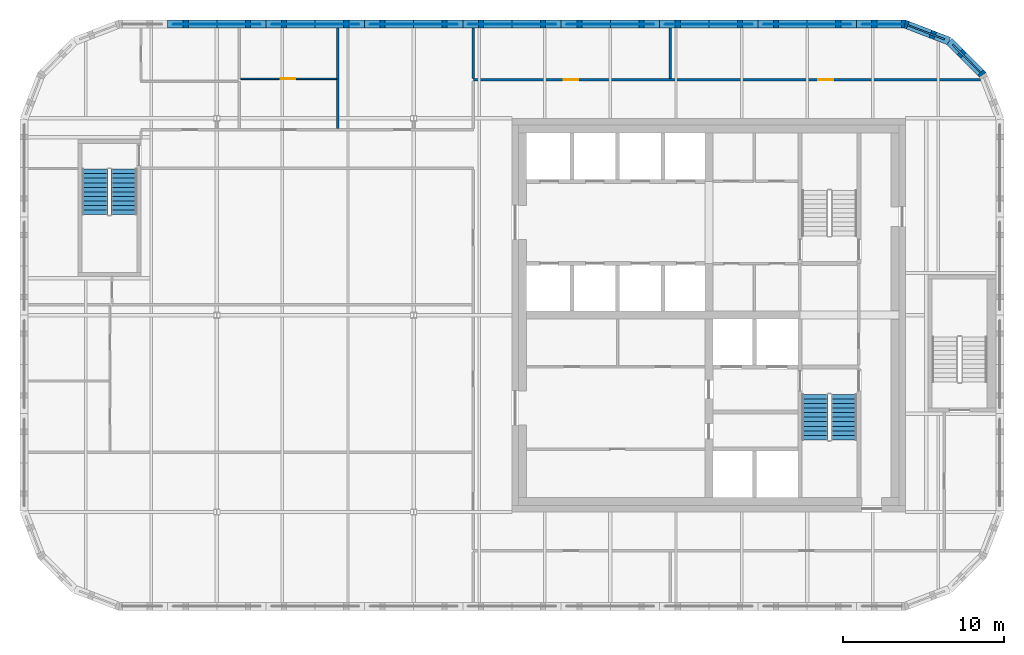
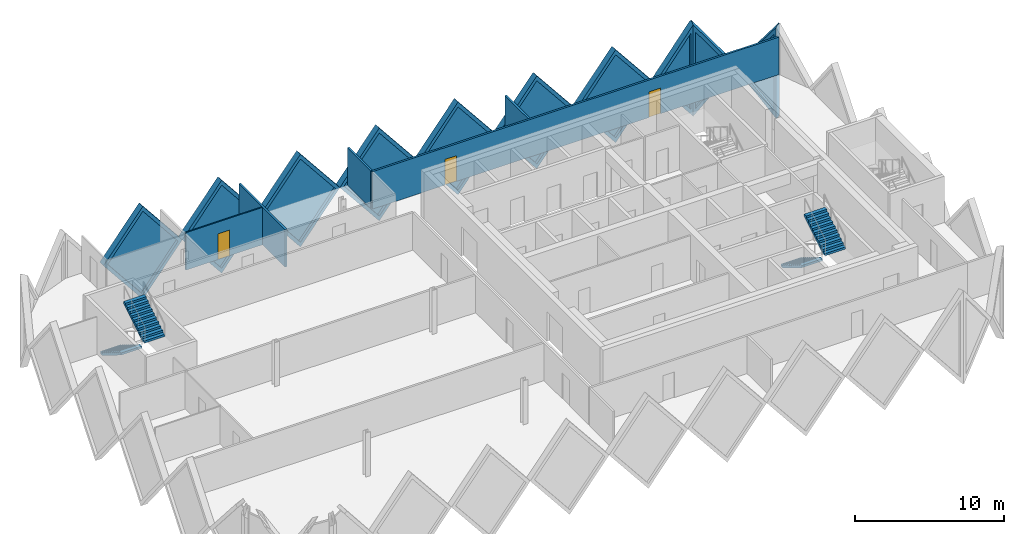
# One storey, part 8 of 10: 15 walls, 10 plates, 4 stair flights, 3 doors, 13 openings, 2 elements without a shape of their own.
"""IFC4 building model written with IfcOpenShell, lengths in metres."""

import ifcopenshell
import ifcopenshell.guid

model = None  # the IFC model being written
_history = None  # IfcOwnerHistory: only IFC2X3 demands one
_inside = {}  # id of a spatial element -> (the spatial element, [elements in it])
_under = {}  # id of a project, library or spatial element -> (it, [spatial elements below it])
_declared = {}  # id of a project -> (the project, [libraries it declares])
_typed = {}  # id of a type object -> (the type object, [elements of that type])
_made_of = {}  # id of a material, layer set ... -> (it, [elements and type objects made of it])


def new_model(schema):
    """Start an empty IFC model of exactly this schema.

    Asked for "IFC4X3", IfcOpenShell would pick the latest addendum, in which some entities
    have other attributes; the version numbers below select the first issue.
    IFC2X3 requires an IfcOwnerHistory on every rooted entity: one is made here for all.
    """
    global model, _history
    if schema == "IFC4X3":
        model = ifcopenshell.file(schema_version=(4, 3, 0, 0))
    else:
        model = ifcopenshell.file(schema=schema)
    _inside.clear()
    _under.clear()
    _declared.clear()
    _typed.clear()
    _made_of.clear()
    _history = None
    if model.schema == "IFC2X3":
        org = make("IfcOrganization", Name="unknown")
        user = make(
            "IfcPersonAndOrganization",
            ThePerson=make("IfcPerson", FamilyName="unknown"),
            TheOrganization=org,
        )
        app = make(
            "IfcApplication",
            ApplicationDeveloper=org,
            Version="unknown",
            ApplicationFullName="unknown",
            ApplicationIdentifier="unknown",
        )
        _history = make(
            "IfcOwnerHistory",
            OwningUser=user,
            OwningApplication=app,
            ChangeAction="ADDED",
            CreationDate=0,
        )
    return model


def make(cls, **values):
    """One entity of the class cls with the attributes given. An attribute that is None is left unset."""
    return model.create_entity(
        cls, **{name: value for name, value in values.items() if value is not None}
    )


def rooted(cls, **values):
    """An entity with a GlobalId (a new one), such as an element, a storey or a relation."""
    return make(cls, GlobalId=ifcopenshell.guid.new(), OwnerHistory=_history, **values)


def si_unit(unit_type, name, prefix=None):
    """IfcSIUnit, for example si_unit("LENGTHUNIT", "METRE", prefix="MILLI")."""
    return make("IfcSIUnit", UnitType=unit_type, Prefix=prefix, Name=name)


def assignment(units):
    """IfcUnitAssignment: the units of a project."""
    return None if units is None else make("IfcUnitAssignment", Units=units)


def point(xyz):
    """IfcCartesianPoint."""
    return None if xyz is None else make("IfcCartesianPoint", Coordinates=xyz)


def direction(xyz):
    """IfcDirection."""
    return None if xyz is None else make("IfcDirection", DirectionRatios=xyz)


def frame(location, z_axis=None, x_axis=None):
    """IfcAxis2Placement3D, a coordinate frame: its origin and axes. An axis left out is left unset."""
    return make(
        "IfcAxis2Placement3D",
        Location=point(location),
        Axis=direction(z_axis),
        RefDirection=direction(x_axis),
    )


def frame_2d(location, x_axis=None):
    """IfcAxis2Placement2D, a coordinate frame in the plane: its origin and x axis."""
    return make(
        "IfcAxis2Placement2D", Location=point(location), RefDirection=direction(x_axis)
    )


def origin():
    """The frame at (0, 0, 0) with its axes left unset."""
    return frame((0.0, 0.0, 0.0))


def place(relative_to, where):
    """IfcLocalPlacement: puts the frame where relative to a parent placement (None: the world)."""
    return make(
        "IfcLocalPlacement", PlacementRelTo=relative_to, RelativePlacement=where
    )


def context(
    kind, dimensions, precision=None, world=None, true_north=None, identifier=None
):
    """IfcGeometricRepresentationContext, for example the 3D "Model" context."""
    return make(
        "IfcGeometricRepresentationContext",
        ContextIdentifier=identifier,
        ContextType=kind,
        CoordinateSpaceDimension=dimensions,
        Precision=precision,
        WorldCoordinateSystem=world,
        TrueNorth=true_north,
    )


def subcontext(parent, identifier, kind, view, scale=None):
    """IfcGeometricRepresentationSubContext, for example "Body" below "Model"."""
    return make(
        "IfcGeometricRepresentationSubContext",
        ContextIdentifier=identifier,
        ContextType=kind,
        ParentContext=parent,
        TargetScale=scale,
        TargetView=view,
    )


def project(units=None, contexts=None):
    """IfcProject with its units and contexts."""
    return rooted(
        "IfcProject",
        Name="project",
        RepresentationContexts=contexts,
        UnitsInContext=assignment(units),
    )


def spatial(cls, under=None, at=None, **own):
    """A site, building, storey or space (cls), placed at a placement, below another one or the project."""
    s = rooted(cls, ObjectPlacement=at, **own)
    if under is not None:
        _under.setdefault(under.id(), (under, []))[1].append(s)
    return s


def polyline(points):
    """IfcPolyline through the points."""
    return make("IfcPolyline", Points=[point(p) for p in points])


def profile(cls, at=None, kind="AREA", **sizes):
    """A parametric profile (cls). Its sizes go by their IFC names, for example OverallWidth=200.0."""
    return make(cls, ProfileType=kind, Position=at, **sizes)


def rectangle(**sizes):
    """IfcRectangleProfileDef."""
    return profile("IfcRectangleProfileDef", **sizes)


def outline(outer, holes=None, kind="AREA"):
    """IfcArbitraryClosedProfileDef: a profile drawn as a closed curve; with holes, ...WithVoids."""
    if holes is None:
        return make("IfcArbitraryClosedProfileDef", ProfileType=kind, OuterCurve=outer)
    return make(
        "IfcArbitraryProfileDefWithVoids",
        ProfileType=kind,
        OuterCurve=outer,
        InnerCurves=holes,
    )


def extrude(swept, where, along, depth):
    """IfcExtrudedAreaSolid: the profile swept, set in the frame where, extruded along a direction by depth."""
    return make(
        "IfcExtrudedAreaSolid",
        SweptArea=swept,
        Position=where,
        ExtrudedDirection=direction(along),
        Depth=depth,
    )


def faces_of(points, faces, orient=None, outer=None):
    """IfcFace entities. A face is a list of loops; a loop is a list of indices into points, from 0.

    orient and outer hold one flag for each loop. By default every Orientation is true, the
    first loop of a face is its IfcFaceOuterBound and the others are IfcFaceBound.
    """
    made = []
    for i, loops in enumerate(faces):
        bounds = []
        for j, loop in enumerate(loops):
            is_outer = j == 0 if outer is None else outer[i][j]
            bounds.append(
                make(
                    "IfcFaceOuterBound" if is_outer else "IfcFaceBound",
                    Bound=make("IfcPolyLoop", Polygon=[points[k] for k in loop]),
                    Orientation=True if orient is None else orient[i][j],
                )
            )
        made.append(make("IfcFace", Bounds=bounds))
    return made


def faceted_brep(points, faces, orient=None, outer=None, voids=None):
    """IfcFacetedBrep: a solid bounded by flat faces; with voids (closed shells), ...WithVoids."""
    shared = [point(p) for p in points]
    hull = make("IfcClosedShell", CfsFaces=faces_of(shared, faces, orient, outer))
    if voids is None:
        return make("IfcFacetedBrep", Outer=hull)
    return make(
        "IfcFacetedBrepWithVoids",
        Outer=hull,
        Voids=[
            make(cls, CfsFaces=faces_of(shared, fs, o, b)) for cls, fs, o, b in voids
        ],
    )


def shape(context_of_items, identifier, shape_type, items):
    """IfcShapeRepresentation: the items that make up one representation, for example the "Body"."""
    return make(
        "IfcShapeRepresentation",
        ContextOfItems=context_of_items,
        RepresentationIdentifier=identifier,
        RepresentationType=shape_type,
        Items=items,
    )


def source(mapping_origin, context_of_items, identifier, shape_type, items):
    """IfcRepresentationMap: a shape defined once, which mapped items show again and again."""
    return make(
        "IfcRepresentationMap",
        MappingOrigin=mapping_origin,
        MappedRepresentation=shape(context_of_items, identifier, shape_type, items),
    )


def transform(
    local_origin,
    x_axis=None,
    y_axis=None,
    z_axis=None,
    scale=None,
    scale2=None,
    scale3=None,
    uniform=True,
):
    """IfcCartesianTransformationOperator3D, or its non-uniform kind. x_axis, y_axis, z_axis: its Axis1, 2, 3."""
    if uniform:
        return make(
            "IfcCartesianTransformationOperator3D",
            Axis1=direction(x_axis),
            Axis2=direction(y_axis),
            LocalOrigin=point(local_origin),
            Scale=scale,
            Axis3=direction(z_axis),
        )
    return make(
        "IfcCartesianTransformationOperator3DnonUniform",
        Axis1=direction(x_axis),
        Axis2=direction(y_axis),
        LocalOrigin=point(local_origin),
        Scale=scale,
        Axis3=direction(z_axis),
        Scale2=scale2,
        Scale3=scale3,
    )


def mapped(mapping_source, mapping_target):
    """IfcMappedItem: shows the shape of a source again, moved by a transform."""
    return make(
        "IfcMappedItem", MappingSource=mapping_source, MappingTarget=mapping_target
    )


def material(Name=None, Category=None):
    """IfcMaterial."""
    return make("IfcMaterial", Name=Name, Category=Category)


def layer(
    of_material, thickness, ventilated=None, Name=None, Category=None, Priority=None
):
    """IfcMaterialLayer: one layer of a wall or slab, of a material (None: an air gap)."""
    return make(
        "IfcMaterialLayer",
        Material=of_material,
        LayerThickness=thickness,
        IsVentilated=ventilated,
        Name=Name,
        Category=Category,
        Priority=Priority,
    )


def layer_set(layers, Name=None):
    """IfcMaterialLayerSet."""
    return make("IfcMaterialLayerSet", MaterialLayers=layers, LayerSetName=Name)


def made_of(thing, what):
    """Note that an element or type object is made of a material, layer set ...; save() writes the relation."""
    if what is not None:
        _made_of.setdefault(what.id(), (what, []))[1].append(thing)
    return thing


def type_object(cls, material=None, **own):
    """A type object (cls), such as IfcWallType, which elements share."""
    return made_of(rooted(cls, **own), material)


def element(
    cls,
    number,
    at=None,
    inside=None,
    cuts=None,
    type_object=None,
    material=None,
    context=None,
    identifier="Body",
    shape_type=None,
    held_by="IfcProductDefinitionShape",
    body=None,
    shapes=None,
    **own,
):
    """One element of the class cls, such as IfcWall. Its Tag is "e" and its number.

    at: its placement. inside: the storey or other place that contains it. cuts: it is an
    opening in that element (IfcRelVoidsElement). A single representation is given by context,
    identifier, shape_type and body (its items); several are given by shapes. held_by: the class
    of the entity that holds the representations. save() writes the other relations.
    """
    e = rooted(cls, Tag="e%d" % number, ObjectPlacement=at, **own)
    if body is not None:
        shapes = [shape(context, identifier, shape_type, body)]
    if shapes is not None:
        e.Representation = make(held_by, Representations=shapes)
    if inside is not None:
        _inside.setdefault(inside.id(), (inside, []))[1].append(e)
    if cuts is not None:
        rooted(
            "IfcRelVoidsElement", RelatingBuildingElement=cuts, RelatedOpeningElement=e
        )
    if type_object is not None:
        _typed.setdefault(type_object.id(), (type_object, []))[1].append(e)
    return made_of(e, material)


def fill(opening, filler):
    """IfcRelFillsElement: the door or window that sits in an opening."""
    return rooted(
        "IfcRelFillsElement",
        RelatingOpeningElement=opening,
        RelatedBuildingElement=filler,
    )


def aggregate(whole, parts):
    """IfcRelAggregates: a whole, such as a stair, and the parts it consists of."""
    return rooted("IfcRelAggregates", RelatingObject=whole, RelatedObjects=parts)


def save(model, path):
    """Write the relations noted so far, then the file.

    IfcRelAggregates (storeys below a building ...), IfcRelContainedInSpatialStructure (elements
    in a storey), IfcRelDefinesByType, IfcRelAssociatesMaterial and IfcRelDeclares: one each for
    every whole, place, type object, material and project.
    """
    for whole, parts in _under.values():
        aggregate(whole, parts)
    for where, things in _inside.values():
        rooted(
            "IfcRelContainedInSpatialStructure",
            RelatedElements=things,
            RelatingStructure=where,
        )
    for kind, things in _typed.values():
        rooted("IfcRelDefinesByType", RelatedObjects=things, RelatingType=kind)
    for what, things in _made_of.values():
        rooted("IfcRelAssociatesMaterial", RelatedObjects=things, RelatingMaterial=what)
    for by, libraries in _declared.values():
        rooted("IfcRelDeclares", RelatingContext=by, RelatedDefinitions=libraries)
    model.write(path)


model = new_model("IFC4")

# Units and contexts
model_context = context("Model", 3, precision=1e-05, world=origin(), true_north=direction((0.0, 1.0)))
body_context = subcontext(model_context, "Body", "Model", "MODEL_VIEW")
ifc_project = project(units=[si_unit("LENGTHUNIT", "METRE"), si_unit("AREAUNIT", "SQUARE_METRE"), si_unit("VOLUMEUNIT", "CUBIC_METRE"), si_unit("PLANEANGLEUNIT", "RADIAN"), si_unit("MASSUNIT", "GRAM", prefix="KILO")], contexts=[model_context])

# Site, building, storey
site_placement = place(None, origin())
site = spatial("IfcSite", under=ifc_project, at=site_placement, CompositionType="ELEMENT")
building_placement = place(site_placement, origin())
building = spatial("IfcBuilding", under=site, at=building_placement, Name="Tessera Gate Towers", CompositionType="ELEMENT")
storey_placement = place(building_placement, frame((0.0, 0.0, 252.10009765625)))
storey = spatial("IfcBuildingStorey", under=building, at=storey_placement, Name="L63", CompositionType="ELEMENT", Elevation=252.10009765625)

# Wall, openings, doors
ifc_material_1 = material(Name="Gypsum board on steel studs, mineral wool", Category="steel")
ifc_layer_1 = layer(ifc_material_1, 0.14990234375)
ifc_layer_set_1 = layer_set([ifc_layer_1], Name="CORRIDOR WALL 150")
wall_type_1 = type_object("IfcWallType", Name="CORRIDOR WALL 150", PredefinedType="PARTITIONING", material=ifc_layer_set_1)
wall_1_placement = place(storey_placement, frame((28.10009765625, 51.199951171875, 0.0), z_axis=(0.0, 0.0, 1.0), x_axis=(1.0, 0.0, 0.0)))
wall_1 = element("IfcWall", 1, at=wall_1_placement, inside=storey, type_object=wall_type_1, Name="T1-L63-PW-025", PredefinedType="PARTITIONING", context=body_context, shape_type="SweptSolid", body=[
    extrude(rectangle(XDim=31.438232421875, YDim=0.14990234375, at=frame_2d((15.71923828125, 0.0))), origin(), (0.0, 0.0, 1.0), 3.06689453125),
])
shared_shape_1 = source(origin(), body_context, "Body", "SweptSolid", [
    extrude(rectangle(XDim=0.89990234375, YDim=2.10009765625, at=frame_2d((0.449951171875, 1.050048828125))), frame((0.0, 0.0849609375, 0.0), z_axis=(0.0, -1.0, 0.0), x_axis=(1.0, 0.0, 0.0)), (0.0, 0.0, 1.0), 0.169921875),
])
opening_1_placement = place(wall_1_placement, frame((5.60009765625, 0.0, 0.0)))
opening_1 = element("IfcOpeningElement", 2, at=opening_1_placement, cuts=wall_1, Name="Opening D890FD60-A22-06", PredefinedType="OPENING", context=body_context, shape_type="MappedRepresentation", body=[
    mapped(shared_shape_1, transform((0.0, 0.0, 0.0), scale=1.0)),
])
opening_2_placement = place(wall_1_placement, frame((21.39990234375, 0.0, 0.0)))
opening_2 = element("IfcOpeningElement", 3, at=opening_2_placement, cuts=wall_1, Name="Opening D890FD60-A22-09", PredefinedType="OPENING", context=body_context, shape_type="MappedRepresentation", body=[
    mapped(shared_shape_1, transform((0.0, 0.0, 0.0), scale=1.0)),
])
ifc_material_2 = material(Name="Timber door leaf in steel frame", Category="steel")
door_type_1 = type_object("IfcDoorType", Name="CORRIDOR DOOR 900 FD60", OperationType="NOTDEFINED", PredefinedType="DOOR", material=ifc_material_2)
shared_shape_2 = source(origin(), body_context, "Body", "SweptSolid", [
    extrude(rectangle(XDim=0.89990234375, YDim=2.10009765625, at=frame_2d((0.449951171875, 1.050048828125))), frame((0.0, 0.02490234375, 0.0), z_axis=(0.0, -1.0, 0.0), x_axis=(1.0, 0.0, 0.0)), (0.0, 0.0, 1.0), 0.050048828125),
])
door_1_placement = place(opening_1_placement, origin())
door_1 = element("IfcDoor", 4, at=door_1_placement, inside=storey, type_object=door_type_1, Name="T1-L63-PD-013", OperationType="SINGLE_SWING_LEFT", OverallHeight=2.10009765625, OverallWidth=0.89990234375, PredefinedType="DOOR", context=body_context, shape_type="MappedRepresentation", body=[
    mapped(shared_shape_2, transform((0.0, 0.0, 0.0), scale=1.0)),
])
fill(opening_1, door_1)
door_2_placement = place(opening_2_placement, origin())
door_2 = element("IfcDoor", 5, at=door_2_placement, inside=storey, type_object=door_type_1, Name="T1-L63-PD-016", OperationType="SINGLE_SWING_LEFT", OverallHeight=2.10009765625, OverallWidth=0.89990234375, PredefinedType="DOOR", context=body_context, shape_type="MappedRepresentation", body=[
    mapped(shared_shape_2, transform((0.0, 0.0, 0.0), scale=1.0)),
])
fill(opening_2, door_2)

# Wall, opening, door
ifc_material_3 = material(Name="Gypsum board on steel studs", Category="steel")
ifc_layer_2 = layer(ifc_material_3, 0.10009765625)
ifc_layer_set_2 = layer_set([ifc_layer_2], Name="PARTITION 100")
wall_type_2 = type_object("IfcWallType", Name="PARTITION 100", PredefinedType="PARTITIONING", material=ifc_layer_set_2)
wall_2_placement = place(storey_placement, frame((13.676025390625, 51.25, 0.0), z_axis=(0.0, 0.0, 1.0), x_axis=(1.0, 0.0, 0.0)))
wall_2 = element("IfcWall", 6, at=wall_2_placement, inside=storey, type_object=wall_type_2, Name="T1-L63-PW-027", PredefinedType="PARTITIONING", context=body_context, shape_type="SweptSolid", body=[
    extrude(rectangle(XDim=5.947998046875, YDim=0.10009765625, at=frame_2d((2.97412109375, 0.0))), origin(), (0.0, 0.0, 1.0), 3.06689453125),
])
shared_shape_3 = source(origin(), body_context, "Body", "SweptSolid", [
    extrude(rectangle(XDim=0.89990234375, YDim=2.10009765625, at=frame_2d((0.449951171875, 1.050048828125))), frame((0.0, 0.06005859375, 0.0), z_axis=(0.0, -1.0, 0.0), x_axis=(1.0, 0.0, 0.0)), (0.0, 0.0, 1.0), 0.1201171875),
])
opening_3_placement = place(wall_2_placement, frame((2.5, 0.0, 0.0)))
opening_3 = element("IfcOpeningElement", 7, at=opening_3_placement, cuts=wall_2, Name="Opening D190-A22-03", PredefinedType="OPENING", context=body_context, shape_type="MappedRepresentation", body=[
    mapped(shared_shape_3, transform((0.0, 0.0, 0.0), scale=1.0)),
])
ifc_material_4 = material(Name="Timber door leaf in steel frame", Category="steel")
door_type_2 = type_object("IfcDoorType", Name="INTERNAL DOOR 900 NOT RATED", OperationType="NOTDEFINED", PredefinedType="DOOR", material=ifc_material_4)
door_3_placement = place(opening_3_placement, origin())
door_3 = element("IfcDoor", 8, at=door_3_placement, inside=storey, type_object=door_type_2, Name="T1-L63-PD-004", OperationType="SINGLE_SWING_LEFT", OverallHeight=2.10009765625, OverallWidth=0.89990234375, PredefinedType="DOOR", context=body_context, shape_type="MappedRepresentation", body=[
    mapped(shared_shape_2, transform((0.0, 0.0, 0.0), scale=1.0)),
])
fill(opening_3, door_3)

# Walls
ifc_material_5 = material(Name="Gypsum board on steel studs, mineral wool", Category="steel")
ifc_layer_3 = layer(ifc_material_5, 0.14990234375)
ifc_layer_set_3 = layer_set([ifc_layer_3], Name="TENANCY WALL 150")
wall_type_3 = type_object("IfcWallType", Name="TENANCY WALL 150", PredefinedType="PARTITIONING", material=ifc_layer_set_3)
wall_3_placement = place(storey_placement, frame((19.699951171875, 48.176025390625, 0.0), z_axis=(0.0, 0.0, 1.0), x_axis=(0.0, 1.0, 0.0)))
element("IfcWall", 9, at=wall_3_placement, inside=storey, type_object=wall_type_3, Name="T1-L63-PW-019", PredefinedType="PARTITIONING", context=body_context, shape_type="SweptSolid", body=[
    extrude(rectangle(XDim=6.223876953125, YDim=0.14990234375, at=frame_2d((3.11181640625, 0.0))), origin(), (0.0, 0.0, 1.0), 3.06689453125),
])
for number, where, z_axis, x_axis, name in (
    (10, (28.10009765625, 51.27587890625, 0.0), (0.0, 0.0, 1.0), (0.0, 1.0, 0.0), "T1-L63-PW-028"),
    (11, (40.300048828125, 51.27587890625, 0.0), (0.0, 0.0, 1.0), (0.0, 1.0, 0.0), "T1-L63-PW-029"),
):
    element("IfcWall", number, at=place(storey_placement, frame(where, z_axis=z_axis, x_axis=x_axis)), inside=storey, type_object=wall_type_3, Name=name, PredefinedType="PARTITIONING", context=body_context, shape_type="SweptSolid", body=[
        extrude(rectangle(XDim=3.1240234375, YDim=0.14990234375, at=frame_2d((1.56201171875, 0.0))), origin(), (0.0, 0.0, 1.0), 3.06689453125),
    ])

# Wall, opening, plate
ifc_material_6 = material(Name="Precast concrete C60/75 white", Category="concrete")
ifc_layer_4 = layer(ifc_material_6, 0.5)
ifc_layer_set_4 = layer_set([ifc_layer_4], Name="TS1 tessera")
wall_type_4 = type_object("IfcWallType", Name="TS1 tessera", PredefinedType="SOLIDWALL", material=ifc_layer_set_4)
shared_shape_4 = source(origin(), body_context, "Body", "Brep", [
    faceted_brep([(3.050048828125, -0.25, 0.0), (6.099853515625, -0.25, 3.7998046875), (6.099853515625, -0.25, 3.80029296875), (3.050048828125, -0.25, 7.599853515625), (0.0, -0.25, 3.800048828125), (0.0, 0.25, 3.800048828125), (3.050048828125, 0.25, 7.599853515625), (6.099853515625, 0.25, 3.80029296875), (6.099853515625, 0.25, 3.7998046875), (3.050048828125, 0.25, 0.0)], [[[0, 1, 2, 3, 4]], [[5, 6, 7, 8, 9]], [[9, 8, 1, 0]], [[7, 6, 3, 2]], [[6, 5, 4, 3]], [[5, 9, 0, 4]], [[1, 8, 7, 2]]]),
])
wall_4_placement = place(storey_placement, frame((39.64990234375, 54.64990234375, -3.800048828125), z_axis=(0.0, 0.0, 1.0), x_axis=(-1.0, 0.0, 0.0)))
wall_4 = element("IfcWall", 12, at=wall_4_placement, inside=storey, type_object=wall_type_4, Name="Precast tessera T1 TS1-1114", PredefinedType="SOLIDWALL", context=body_context, shape_type="MappedRepresentation", body=[
    mapped(shared_shape_4, transform((0.0, 0.0, 0.0), scale=1.0)),
])
shared_shape_5 = source(origin(), body_context, "Body", "SweptSolid", [
    extrude(outline(polyline([(3.050048828125, 0.3994140625), (5.779541015625, 3.800048828125), (3.050048828125, 7.200439453125), (0.320556640625, 3.800048828125), (3.050048828125, 0.3994140625)])), frame((0.0, 0.260009765625, 0.0), z_axis=(0.0, -1.0, 0.0), x_axis=(1.0, 0.0, 0.0)), (0.0, 0.0, 1.0), 0.52001953125),
])
opening_4_placement = place(wall_4_placement, origin())
opening_4 = element("IfcOpeningElement", 13, at=opening_4_placement, cuts=wall_4, Name="Opening T1-PL2-2256", PredefinedType="OPENING", context=body_context, shape_type="MappedRepresentation", body=[
    mapped(shared_shape_5, transform((0.0, 0.0, 0.0), scale=1.0)),
])
ifc_material_7 = material(Name="Low-e laminated glass", Category="glass")
ifc_layer_5 = layer(ifc_material_7, 0.06005859375)
ifc_layer_set_5 = layer_set([ifc_layer_5], Name="PL2 rhombic pane")
plate_type = type_object("IfcPlateType", Name="PL2 rhombic pane", PredefinedType="SHEET", material=ifc_layer_set_5)
shared_shape_6 = source(origin(), body_context, "Body", "SweptSolid", [
    extrude(outline(polyline([(3.050048828125, 0.3994140625), (5.779541015625, 3.800048828125), (3.050048828125, 7.200439453125), (0.320556640625, 3.800048828125), (3.050048828125, 0.3994140625)])), frame((0.0, 0.030029296875, 0.0), z_axis=(0.0, -1.0, 0.0), x_axis=(1.0, 0.0, 0.0)), (0.0, 0.0, 1.0), 0.06005859375),
])
plate_1_placement = place(opening_4_placement, origin())
plate_1 = element("IfcPlate", 14, at=plate_1_placement, inside=storey, type_object=plate_type, Name="Glass pane T1 PL2-2256", PredefinedType="SHEET", context=body_context, shape_type="MappedRepresentation", body=[
    mapped(shared_shape_6, transform((0.0, 0.0, 0.0), scale=1.0)),
])
fill(opening_4, plate_1)

wall_5_placement = place(storey_placement, frame((27.449951171875, 54.64990234375, -3.800048828125), z_axis=(0.0, 0.0, 1.0), x_axis=(-1.0, 0.0, 0.0)))
wall_5 = element("IfcWall", 15, at=wall_5_placement, inside=storey, type_object=wall_type_4, Name="Precast tessera T1 TS1-1116", PredefinedType="SOLIDWALL", context=body_context, shape_type="MappedRepresentation", body=[
    mapped(shared_shape_4, transform((0.0, 0.0, 0.0), scale=1.0)),
])
opening_5_placement = place(wall_5_placement, origin())
opening_5 = element("IfcOpeningElement", 16, at=opening_5_placement, cuts=wall_5, Name="Opening T1-PL2-2258", PredefinedType="OPENING", context=body_context, shape_type="MappedRepresentation", body=[
    mapped(shared_shape_5, transform((0.0, 0.0, 0.0), scale=1.0)),
])
plate_2_placement = place(opening_5_placement, origin())
plate_2 = element("IfcPlate", 17, at=plate_2_placement, inside=storey, type_object=plate_type, Name="Glass pane T1 PL2-2258", PredefinedType="SHEET", context=body_context, shape_type="MappedRepresentation", body=[
    mapped(shared_shape_6, transform((0.0, 0.0, 0.0), scale=1.0)),
])
fill(opening_5, plate_2)

shared_shape_7 = source(origin(), body_context, "Body", "SweptSolid", [
    extrude(outline(polyline([(3.050048828125, 0.0), (6.10009765625, 3.800048828125), (3.050048828125, 7.599853515625), (0.0, 3.800048828125), (3.050048828125, 0.0)])), frame((0.0, 0.25, 0.0), z_axis=(0.0, -1.0, 0.0), x_axis=(1.0, 0.0, 0.0)), (0.0, 0.0, 1.0), 0.5),
])
wall_6_placement = place(storey_placement, frame((51.85009765625, 54.64990234375, -3.800048828125), z_axis=(0.0, 0.0, 1.0), x_axis=(-1.0, 0.0, 0.0)))
wall_6 = element("IfcWall", 18, at=wall_6_placement, inside=storey, type_object=wall_type_4, Name="Precast tessera T1 TS1-1112", PredefinedType="SOLIDWALL", context=body_context, shape_type="MappedRepresentation", body=[
    mapped(shared_shape_7, transform((0.0, 0.0, 0.0), scale=1.0)),
])
opening_6_placement = place(wall_6_placement, origin())
opening_6 = element("IfcOpeningElement", 19, at=opening_6_placement, cuts=wall_6, Name="Opening T1-PL2-2254", PredefinedType="OPENING", context=body_context, shape_type="MappedRepresentation", body=[
    mapped(shared_shape_5, transform((0.0, 0.0, 0.0), scale=1.0)),
])
plate_3_placement = place(opening_6_placement, origin())
plate_3 = element("IfcPlate", 20, at=plate_3_placement, inside=storey, type_object=plate_type, Name="Glass pane T1 PL2-2254", PredefinedType="SHEET", context=body_context, shape_type="MappedRepresentation", body=[
    mapped(shared_shape_6, transform((0.0, 0.0, 0.0), scale=1.0)),
])
fill(opening_6, plate_3)

wall_7_placement = place(storey_placement, frame((45.75, 54.64990234375, -3.800048828125), z_axis=(0.0, 0.0, 1.0), x_axis=(-1.0, 0.0, 0.0)))
wall_7 = element("IfcWall", 21, at=wall_7_placement, inside=storey, type_object=wall_type_4, Name="Precast tessera T1 TS1-1113", PredefinedType="SOLIDWALL", context=body_context, shape_type="MappedRepresentation", body=[
    mapped(shared_shape_7, transform((0.0, 0.0, 0.0), scale=1.0)),
])
opening_7_placement = place(wall_7_placement, origin())
opening_7 = element("IfcOpeningElement", 22, at=opening_7_placement, cuts=wall_7, Name="Opening T1-PL2-2255", PredefinedType="OPENING", context=body_context, shape_type="MappedRepresentation", body=[
    mapped(shared_shape_5, transform((0.0, 0.0, 0.0), scale=1.0)),
])
plate_4_placement = place(opening_7_placement, origin())
plate_4 = element("IfcPlate", 23, at=plate_4_placement, inside=storey, type_object=plate_type, Name="Glass pane T1 PL2-2255", PredefinedType="SHEET", context=body_context, shape_type="MappedRepresentation", body=[
    mapped(shared_shape_6, transform((0.0, 0.0, 0.0), scale=1.0)),
])
fill(opening_7, plate_4)

wall_8_placement = place(storey_placement, frame((33.550048828125, 54.64990234375, -3.800048828125), z_axis=(0.0, 0.0, 1.0), x_axis=(-1.0, 0.0, 0.0)))
wall_8 = element("IfcWall", 24, at=wall_8_placement, inside=storey, type_object=wall_type_4, Name="Precast tessera T1 TS1-1115", PredefinedType="SOLIDWALL", context=body_context, shape_type="MappedRepresentation", body=[
    mapped(shared_shape_7, transform((0.0, 0.0, 0.0), scale=1.0)),
])
opening_8_placement = place(wall_8_placement, origin())
opening_8 = element("IfcOpeningElement", 25, at=opening_8_placement, cuts=wall_8, Name="Opening T1-PL2-2257", PredefinedType="OPENING", context=body_context, shape_type="MappedRepresentation", body=[
    mapped(shared_shape_5, transform((0.0, 0.0, 0.0), scale=1.0)),
])
plate_5_placement = place(opening_8_placement, origin())
plate_5 = element("IfcPlate", 26, at=plate_5_placement, inside=storey, type_object=plate_type, Name="Glass pane T1 PL2-2257", PredefinedType="SHEET", context=body_context, shape_type="MappedRepresentation", body=[
    mapped(shared_shape_6, transform((0.0, 0.0, 0.0), scale=1.0)),
])
fill(opening_8, plate_5)

wall_9_placement = place(storey_placement, frame((21.35009765625, 54.64990234375, -3.800048828125), z_axis=(0.0, 0.0, 1.0), x_axis=(-1.0, 0.0, 0.0)))
wall_9 = element("IfcWall", 27, at=wall_9_placement, inside=storey, type_object=wall_type_4, Name="Precast tessera T1 TS1-1117", PredefinedType="SOLIDWALL", context=body_context, shape_type="MappedRepresentation", body=[
    mapped(shared_shape_7, transform((0.0, 0.0, 0.0), scale=1.0)),
])
opening_9_placement = place(wall_9_placement, origin())
opening_9 = element("IfcOpeningElement", 28, at=opening_9_placement, cuts=wall_9, Name="Opening T1-PL2-2259", PredefinedType="OPENING", context=body_context, shape_type="MappedRepresentation", body=[
    mapped(shared_shape_5, transform((0.0, 0.0, 0.0), scale=1.0)),
])
plate_6_placement = place(opening_9_placement, origin())
plate_6 = element("IfcPlate", 29, at=plate_6_placement, inside=storey, type_object=plate_type, Name="Glass pane T1 PL2-2259", PredefinedType="SHEET", context=body_context, shape_type="MappedRepresentation", body=[
    mapped(shared_shape_6, transform((0.0, 0.0, 0.0), scale=1.0)),
])
fill(opening_9, plate_6)

wall_10_placement = place(storey_placement, frame((15.25, 54.64990234375, -3.800048828125), z_axis=(0.0, 0.0, 1.0), x_axis=(-1.0, 0.0, 0.0)))
wall_10 = element("IfcWall", 30, at=wall_10_placement, inside=storey, type_object=wall_type_4, Name="Precast tessera T1 TS1-1118", PredefinedType="SOLIDWALL", context=body_context, shape_type="MappedRepresentation", body=[
    mapped(shared_shape_7, transform((0.0, 0.0, 0.0), scale=1.0)),
])
opening_10_placement = place(wall_10_placement, origin())
opening_10 = element("IfcOpeningElement", 31, at=opening_10_placement, cuts=wall_10, Name="Opening T1-PL2-2260", PredefinedType="OPENING", context=body_context, shape_type="MappedRepresentation", body=[
    mapped(shared_shape_5, transform((0.0, 0.0, 0.0), scale=1.0)),
])
plate_7_placement = place(opening_10_placement, origin())
plate_7 = element("IfcPlate", 32, at=plate_7_placement, inside=storey, type_object=plate_type, Name="Glass pane T1 PL2-2260", PredefinedType="SHEET", context=body_context, shape_type="MappedRepresentation", body=[
    mapped(shared_shape_6, transform((0.0, 0.0, 0.0), scale=1.0)),
])
fill(opening_10, plate_7)

ifc_material_8 = material(Name="Precast concrete C60/75 white", Category="concrete")
ifc_layer_6 = layer(ifc_material_8, 0.5)
ifc_layer_set_6 = layer_set([ifc_layer_6], Name="TS3 corner tessera")
wall_type_5 = type_object("IfcWallType", Name="TS3 corner tessera", PredefinedType="SOLIDWALL", material=ifc_layer_set_6)
shared_shape_8 = source(origin(), body_context, "Body", "Brep", [
    faceted_brep([(2.950439453125, -0.25, 0.0), (2.9970703125, -0.25, 0.05908203125), (2.9970703125, -0.25, 7.540771484375), (2.950439453125, -0.25, 7.599853515625), (0.0, -0.25, 3.800048828125), (0.052978515625, 0.25, 3.8681640625), (2.904052734375, 0.25, 7.5400390625), (2.904052734375, 0.25, 0.059814453125), (0.052978515625, 0.25, 3.73193359375), (2.950439453125, 0.00048828125, 0.0), (2.950439453125, 0.00048828125, 7.599853515625), (0.0, 0.0, 3.800048828125)], [[[0, 1, 2, 3, 4]], [[5, 6, 7, 8]], [[1, 0, 9]], [[10, 3, 2]], [[6, 5, 11, 4, 3, 10]], [[8, 7, 9, 0, 4, 11]], [[8, 11, 5]], [[1, 9, 7, 6, 10, 2]]]),
])
wall_11_placement = place(storey_placement, frame((57.606201171875, 53.588134765625, -3.800048828125), z_axis=(0.0, 0.0, 1.0), x_axis=(-0.932990326376, 0.359901446078, 0.0)))
wall_11 = element("IfcWall", 33, at=wall_11_placement, inside=storey, type_object=wall_type_5, Name="Precast corner tessera T1 TS3-1441", PredefinedType="SOLIDWALL", context=body_context, shape_type="MappedRepresentation", body=[
    mapped(shared_shape_8, transform((0.0, 0.0, 0.0), scale=1.0)),
])
shared_shape_9 = source(origin(), body_context, "Body", "SweptSolid", [
    extrude(outline(polyline([(2.75048828125, 6.934814453125), (0.31640625, 3.800048828125), (2.75048828125, 0.665283203125), (2.75048828125, 6.934814453125)])), frame((0.0, 0.260009765625, 0.0), z_axis=(0.0, -1.0, 0.0), x_axis=(1.0, 0.0, 0.0)), (0.0, 0.0, 1.0), 0.52001953125),
])
opening_11_placement = place(wall_11_placement, origin())
opening_11 = element("IfcOpeningElement", 34, at=opening_11_placement, cuts=wall_11, Name="Opening T1-PL2-2252", PredefinedType="OPENING", context=body_context, shape_type="MappedRepresentation", body=[
    mapped(shared_shape_9, transform((0.0, 0.0, 0.0), scale=1.0)),
])
shared_shape_10 = source(origin(), body_context, "Body", "SweptSolid", [
    extrude(outline(polyline([(2.75048828125, 6.934814453125), (0.31640625, 3.800048828125), (2.75048828125, 0.665283203125), (2.75048828125, 6.934814453125)])), frame((0.0, 0.030029296875, 0.0), z_axis=(0.0, -1.0, 0.0), x_axis=(1.0, 0.0, 0.0)), (0.0, 0.0, 1.0), 0.06005859375),
])
plate_8_placement = place(opening_11_placement, origin())
plate_8 = element("IfcPlate", 35, at=plate_8_placement, inside=storey, type_object=plate_type, Name="Glass pane T1 PL2-2252", PredefinedType="SHEET", context=body_context, shape_type="MappedRepresentation", body=[
    mapped(shared_shape_10, transform((0.0, 0.0, 0.0), scale=1.0)),
])
fill(opening_11, plate_8)

shared_shape_11 = source(origin(), body_context, "Body", "Brep", [
    faceted_brep([(0.046630859375, -0.25, 0.0), (3.050048828125, -0.25, 3.800048828125), (0.046630859375, -0.25, 7.599853515625), (0.0, -0.25, 7.539794921875), (0.0, -0.25, 0.06005859375), (0.09326171875, 0.25, 7.541015625), (3.050048828125, 0.25, 3.800048828125), (0.09326171875, 0.25, 0.058837890625), (0.046630859375, 0.0, 0.0), (0.046630859375, 0.0, 7.599853515625)], [[[0, 1, 2, 3, 4]], [[5, 6, 7]], [[7, 6, 1, 0, 8]], [[6, 5, 9, 2, 1]], [[3, 2, 9]], [[8, 0, 4]], [[7, 8, 4, 3, 9, 5]]]),
])
wall_12_placement = place(storey_placement, frame((54.900146484375, 54.64990234375, -3.800048828125), z_axis=(0.0, 0.0, 1.0), x_axis=(-1.0, 0.0, 0.0)))
wall_12 = element("IfcWall", 36, at=wall_12_placement, inside=storey, type_object=wall_type_5, Name="Precast corner tessera T1 TS3-1442", PredefinedType="SOLIDWALL", context=body_context, shape_type="MappedRepresentation", body=[
    mapped(shared_shape_11, transform((0.0, 0.0, 0.0), scale=1.0)),
])
shared_shape_12 = source(origin(), body_context, "Body", "SweptSolid", [
    extrude(outline(polyline([(0.24658203125, 0.65625), (2.7314453125, 3.800048828125), (0.24658203125, 6.94384765625), (0.24658203125, 0.65625)])), frame((0.0, 0.260009765625, 0.0), z_axis=(0.0, -1.0, 0.0), x_axis=(1.0, 0.0, 0.0)), (0.0, 0.0, 1.0), 0.52001953125),
])
opening_12_placement = place(wall_12_placement, origin())
opening_12 = element("IfcOpeningElement", 37, at=opening_12_placement, cuts=wall_12, Name="Opening T1-PL2-2253", PredefinedType="OPENING", context=body_context, shape_type="MappedRepresentation", body=[
    mapped(shared_shape_12, transform((0.0, 0.0, 0.0), scale=1.0)),
])
shared_shape_13 = source(origin(), body_context, "Body", "SweptSolid", [
    extrude(outline(polyline([(0.24658203125, 0.65625), (2.7314453125, 3.800048828125), (0.24658203125, 6.94384765625), (0.24658203125, 0.65625)])), frame((0.0, 0.030029296875, 0.0), z_axis=(0.0, -1.0, 0.0), x_axis=(1.0, 0.0, 0.0)), (0.0, 0.0, 1.0), 0.06005859375),
])
plate_9_placement = place(opening_12_placement, origin())
plate_9 = element("IfcPlate", 38, at=plate_9_placement, inside=storey, type_object=plate_type, Name="Glass pane T1 PL2-2253", PredefinedType="SHEET", context=body_context, shape_type="MappedRepresentation", body=[
    mapped(shared_shape_13, transform((0.0, 0.0, 0.0), scale=1.0)),
])
fill(opening_12, plate_9)

shared_shape_14 = source(origin(), body_context, "Body", "Brep", [
    faceted_brep([(0.052978515625, -0.25, 0.0), (2.9970703125, -0.25, 3.800048828125), (0.052978515625, -0.25, 7.599853515625), (0.0, -0.25, 7.53173828125), (0.0, -0.25, 0.068115234375), (0.10595703125, 0.25, 7.531494140625), (2.944091796875, 0.25, 3.8681640625), (2.944091796875, 0.25, 3.73193359375), (0.10595703125, 0.25, 0.068359375), (2.9970703125, 0.000244140625, 3.800048828125), (0.052978515625, 0.0, 0.0), (0.052978515625, 0.0, 7.599853515625)], [[[0, 1, 2, 3, 4]], [[5, 6, 7, 8]], [[8, 7, 9, 1, 0, 10]], [[6, 5, 11, 2, 1, 9]], [[3, 2, 11]], [[10, 0, 4]], [[8, 10, 4, 3, 11, 5]], [[7, 6, 9]]]),
])
wall_13_placement = place(storey_placement, frame((59.7255859375, 51.46875, -3.800048828125), z_axis=(0.0, 0.0, 1.0), x_axis=(-0.707106781187, 0.707106781187, 0.0)))
wall_13 = element("IfcWall", 39, at=wall_13_placement, inside=storey, type_object=wall_type_5, Name="Precast corner tessera T1 TS3-1440", PredefinedType="SOLIDWALL", context=body_context, shape_type="MappedRepresentation", body=[
    mapped(shared_shape_14, transform((0.0, 0.0, 0.0), scale=1.0)),
])
shared_shape_15 = source(origin(), body_context, "Body", "SweptSolid", [
    extrude(outline(polyline([(0.2529296875, 0.666259765625), (2.680908203125, 3.800048828125), (0.2529296875, 6.93359375), (0.2529296875, 0.666259765625)])), frame((0.0, 0.260009765625, 0.0), z_axis=(0.0, -1.0, 0.0), x_axis=(1.0, 0.0, 0.0)), (0.0, 0.0, 1.0), 0.52001953125),
])
opening_13_placement = place(wall_13_placement, origin())
opening_13 = element("IfcOpeningElement", 40, at=opening_13_placement, cuts=wall_13, Name="Opening T1-PL2-2251", PredefinedType="OPENING", context=body_context, shape_type="MappedRepresentation", body=[
    mapped(shared_shape_15, transform((0.0, 0.0, 0.0), scale=1.0)),
])
shared_shape_16 = source(origin(), body_context, "Body", "SweptSolid", [
    extrude(outline(polyline([(0.2529296875, 0.666259765625), (2.680908203125, 3.800048828125), (0.2529296875, 6.93359375), (0.2529296875, 0.666259765625)])), frame((0.0, 0.030029296875, 0.0), z_axis=(0.0, -1.0, 0.0), x_axis=(1.0, 0.0, 0.0)), (0.0, 0.0, 1.0), 0.06005859375),
])
plate_10_placement = place(opening_13_placement, origin())
plate_10 = element("IfcPlate", 41, at=plate_10_placement, inside=storey, type_object=plate_type, Name="Glass pane T1 PL2-2251", PredefinedType="SHEET", context=body_context, shape_type="MappedRepresentation", body=[
    mapped(shared_shape_16, transform((0.0, 0.0, 0.0), scale=1.0)),
])
fill(opening_13, plate_10)

# Stair, stair flights
ifc_material_9 = material(Name="Concrete C40/50", Category="concrete")
stair_type_1 = type_object("IfcStairType", Name="EXIT STAIR ST1 1600", PredefinedType="HALF_TURN_STAIR", material=ifc_material_9)
stair_1_placement = place(storey_placement, origin())
stair_1 = element("IfcStair", 42, at=stair_1_placement, inside=storey, type_object=stair_type_1, Name="L63 Protected Exit Stair ST1", PredefinedType="HALF_TURN_STAIR")
ifc_material_10 = material(Name="Concrete C40/50", Category="concrete")
stair_flight_type_1 = type_object("IfcStairFlightType", Name="EXIT STAIR FLIGHT ST1 1600", PredefinedType="STRAIGHT", material=ifc_material_10)
stair_flight_1_placement = place(storey_placement, frame((49.27490234375, 31.675048828125, 0.0), z_axis=(0.0, 0.0, 1.0), x_axis=(0.0, -1.0, 0.0)))
stair_flight_1 = element("IfcStairFlight", 43, at=stair_flight_1_placement, type_object=stair_flight_type_1, Name="ST1 flight 1", NumberOfRisers=11, NumberOfTreads=10, PredefinedType="STRAIGHT", RiserHeight=0.172727273, TreadLength=0.28, context=body_context, shape_type="SweptSolid", body=[
    extrude(outline(polyline([(0.0, 0.0), (0.0, 0.172607421875), (0.280029296875, 0.172607421875), (0.280029296875, 0.345458984375), (0.56005859375, 0.345458984375), (0.56005859375, 0.51806640625), (0.840087890625, 0.51806640625), (0.840087890625, 0.69091796875), (1.1201171875, 0.69091796875), (1.1201171875, 0.863525390625), (1.39990234375, 0.863525390625), (1.39990234375, 1.036376953125), (1.679931640625, 1.036376953125), (1.679931640625, 1.208984375), (1.9599609375, 1.208984375), (1.9599609375, 1.3818359375), (2.239990234375, 1.3818359375), (2.239990234375, 1.554443359375), (2.52001953125, 1.554443359375), (2.52001953125, 1.727294921875), (2.800048828125, 1.727294921875), (2.800048828125, 1.89990234375), (2.800048828125, 1.551025390625), (0.285400390625, 0.0), (0.0, 0.0)])), frame((0.0, 0.800048828125, 0.0), z_axis=(0.0, -1.0, 0.0), x_axis=(1.0, 0.0, 0.0)), (0.0, 0.0, 1.0), 1.60009765625),
])
stair_flight_2_placement = place(storey_placement, frame((51.074951171875, 28.875, 1.89990234375), z_axis=(0.0, 0.0, 1.0), x_axis=(0.0, 1.0, 0.0)))
stair_flight_2 = element("IfcStairFlight", 44, at=stair_flight_2_placement, type_object=stair_flight_type_1, Name="ST1 flight 2", NumberOfRisers=11, NumberOfTreads=10, PredefinedType="STRAIGHT", RiserHeight=0.172727273, TreadLength=0.28, context=body_context, shape_type="SweptSolid", body=[
    extrude(outline(polyline([(0.0, 0.0), (0.0, 0.172607421875), (0.280029296875, 0.172607421875), (0.280029296875, 0.345458984375), (0.56005859375, 0.345458984375), (0.56005859375, 0.51806640625), (0.840087890625, 0.51806640625), (0.840087890625, 0.69091796875), (1.1201171875, 0.69091796875), (1.1201171875, 0.863525390625), (1.39990234375, 0.863525390625), (1.39990234375, 1.036376953125), (1.679931640625, 1.036376953125), (1.679931640625, 1.208984375), (1.9599609375, 1.208984375), (1.9599609375, 1.3818359375), (2.239990234375, 1.3818359375), (2.239990234375, 1.554443359375), (2.52001953125, 1.554443359375), (2.52001953125, 1.727294921875), (2.800048828125, 1.727294921875), (2.800048828125, 1.89990234375), (2.800048828125, 1.551025390625), (0.285400390625, 0.0), (0.0, 0.0)])), frame((0.0, 0.800048828125, 0.0), z_axis=(0.0, -1.0, 0.0), x_axis=(1.0, 0.0, 0.0)), (0.0, 0.0, 1.0), 1.60009765625),
])
aggregate(stair_1, [stair_flight_1, stair_flight_2])

ifc_material_11 = material(Name="Concrete C40/50", Category="concrete")
stair_type_2 = type_object("IfcStairType", Name="EXIT STAIR ST3 1600", PredefinedType="HALF_TURN_STAIR", material=ifc_material_11)
stair_2_placement = place(storey_placement, origin())
stair_2 = element("IfcStair", 45, at=stair_2_placement, inside=storey, type_object=stair_type_2, Name="L63 West Exit Stair ST3", PredefinedType="HALF_TURN_STAIR")
ifc_material_12 = material(Name="Concrete C40/50", Category="concrete")
stair_flight_type_2 = type_object("IfcStairFlightType", Name="EXIT STAIR FLIGHT ST3 1600", PredefinedType="STRAIGHT", material=ifc_material_12)
stair_flight_3_placement = place(storey_placement, frame((4.64990234375, 45.64990234375, 0.0), z_axis=(0.0, 0.0, 1.0), x_axis=(0.0, -1.0, 0.0)))
stair_flight_3 = element("IfcStairFlight", 46, at=stair_flight_3_placement, type_object=stair_flight_type_2, Name="ST3 flight 1", NumberOfRisers=11, NumberOfTreads=10, PredefinedType="STRAIGHT", RiserHeight=0.172727273, TreadLength=0.28, context=body_context, shape_type="SweptSolid", body=[
    extrude(outline(polyline([(0.0, 0.0), (0.0, 0.172607421875), (0.280029296875, 0.172607421875), (0.280029296875, 0.345458984375), (0.56005859375, 0.345458984375), (0.56005859375, 0.51806640625), (0.840087890625, 0.51806640625), (0.840087890625, 0.69091796875), (1.1201171875, 0.69091796875), (1.1201171875, 0.863525390625), (1.39990234375, 0.863525390625), (1.39990234375, 1.036376953125), (1.679931640625, 1.036376953125), (1.679931640625, 1.208984375), (1.9599609375, 1.208984375), (1.9599609375, 1.3818359375), (2.239990234375, 1.3818359375), (2.239990234375, 1.554443359375), (2.52001953125, 1.554443359375), (2.52001953125, 1.727294921875), (2.800048828125, 1.727294921875), (2.800048828125, 1.89990234375), (2.800048828125, 1.551025390625), (0.285400390625, 0.0), (0.0, 0.0)])), frame((0.0, 0.800048828125, 0.0), z_axis=(0.0, -1.0, 0.0), x_axis=(1.0, 0.0, 0.0)), (0.0, 0.0, 1.0), 1.60009765625),
])
stair_flight_4_placement = place(storey_placement, frame((6.449951171875, 42.85009765625, 1.89990234375), z_axis=(0.0, 0.0, 1.0), x_axis=(0.0, 1.0, 0.0)))
stair_flight_4 = element("IfcStairFlight", 47, at=stair_flight_4_placement, type_object=stair_flight_type_2, Name="ST3 flight 2", NumberOfRisers=11, NumberOfTreads=10, PredefinedType="STRAIGHT", RiserHeight=0.172727273, TreadLength=0.28, context=body_context, shape_type="SweptSolid", body=[
    extrude(outline(polyline([(0.0, 0.0), (0.0, 0.172607421875), (0.280029296875, 0.172607421875), (0.280029296875, 0.345458984375), (0.56005859375, 0.345458984375), (0.56005859375, 0.51806640625), (0.840087890625, 0.51806640625), (0.840087890625, 0.69091796875), (1.1201171875, 0.69091796875), (1.1201171875, 0.863525390625), (1.39990234375, 0.863525390625), (1.39990234375, 1.036376953125), (1.679931640625, 1.036376953125), (1.679931640625, 1.208984375), (1.9599609375, 1.208984375), (1.9599609375, 1.3818359375), (2.239990234375, 1.3818359375), (2.239990234375, 1.554443359375), (2.52001953125, 1.554443359375), (2.52001953125, 1.727294921875), (2.800048828125, 1.727294921875), (2.800048828125, 1.89990234375), (2.800048828125, 1.551025390625), (0.285400390625, 0.0), (0.0, 0.0)])), frame((0.0, 0.800048828125, 0.0), z_axis=(0.0, -1.0, 0.0), x_axis=(1.0, 0.0, 0.0)), (0.0, 0.0, 1.0), 1.60009765625),
])
aggregate(stair_2, [stair_flight_3, stair_flight_4])

save(model, "model.ifc")
